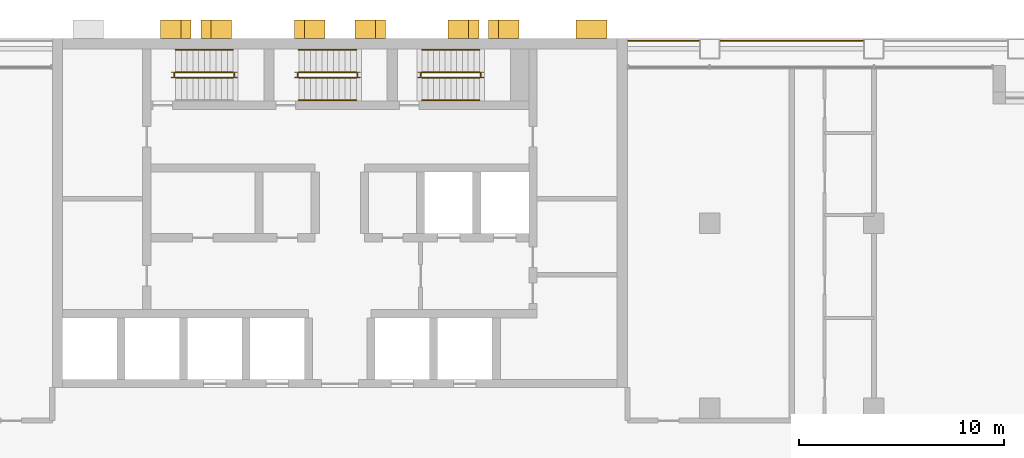
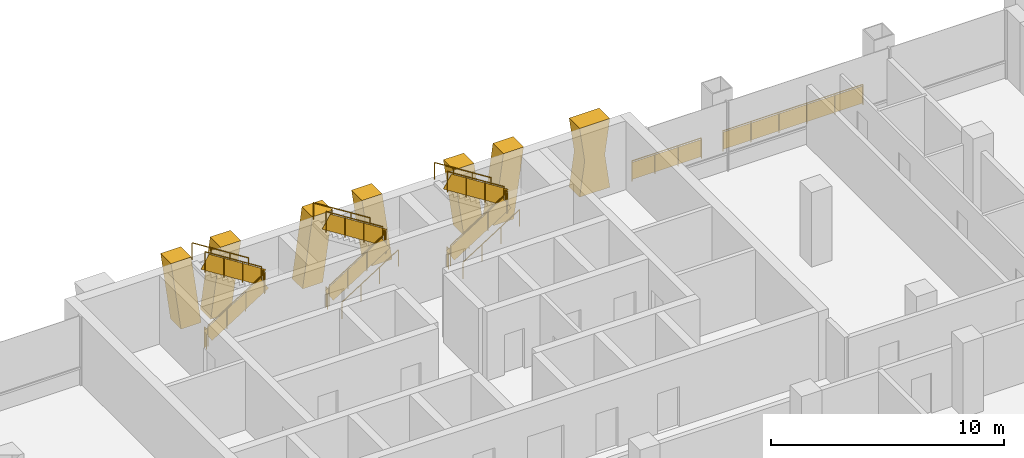
# One storey, part 12 of 13: 19 railings, 7 shading devices.
"""IFC4 building model written with IfcOpenShell, lengths in metres."""

from ifc_helpers import new_model, si_unit, direction, frame, origin, origin_2d, place, context, subcontext, project, spatial, polyline, rectangle, circle, outline, extrude, material, layer, layer_set, type_object, element, save


model = new_model("IFC4")

# Units and contexts
model_context = context("Model", 3, precision=1e-05, world=origin(), true_north=direction((0.0, 1.0)))
body_context = subcontext(model_context, "Body", "Model", "MODEL_VIEW")
ifc_project = project(units=[si_unit("LENGTHUNIT", "METRE"), si_unit("AREAUNIT", "SQUARE_METRE"), si_unit("VOLUMEUNIT", "CUBIC_METRE"), si_unit("PLANEANGLEUNIT", "RADIAN"), si_unit("MASSUNIT", "GRAM", prefix="KILO")], contexts=[model_context])

# Site, building, storey
site_placement = place(None, origin())
site = spatial("IfcSite", under=ifc_project, at=site_placement, CompositionType="ELEMENT")
building_placement = place(site_placement, origin())
building = spatial("IfcBuilding", under=site, at=building_placement, Name="Vidyagriha Tower", CompositionType="ELEMENT")
storey_placement = place(building_placement, frame((0.0, 0.0, 33.800048828125)))
storey = spatial("IfcBuildingStorey", under=building, at=storey_placement, Name="L08", CompositionType="ELEMENT", Elevation=33.800048828125)

# Shading devices
ifc_material_1 = material(Name="Precast concrete C40/50 with brick facing", Category="concrete")
ifc_layer_1 = layer(ifc_material_1, 1.0)
ifc_layer_set_1 = layer_set([ifc_layer_1], Name="Precast concrete C40/50 with brick facing")
shading_device_type_1 = type_object("IfcShadingDeviceType", Name="Brick-faced rear rib arm leaning 8 degrees", PredefinedType="USERDEFINED", material=ifc_layer_set_1)
shading_device_1_placement = place(storey_placement, frame((6.763671875, 20.449951171875, 0.0), z_axis=(0.0, 0.0, 1.0), x_axis=(-1.0, 0.0, 0.0)))
element("IfcShadingDevice", 1, at=shading_device_1_placement, inside=storey, type_object=shading_device_type_1, Name="Rear rib arm L08 R08.2a", ObjectType="BLADE FIN", PredefinedType="USERDEFINED", context=body_context, shape_type="SweptSolid", body=[
    extrude(outline(polyline([(0.0, 0.0), (1.0, 0.0), (1.490966796875, 3.599853515625), (0.490966796875, 3.599853515625), (0.0, 0.0)])), frame((0.0, 0.449951171875, 0.0), z_axis=(0.0, -1.0, 0.0), x_axis=(1.0, 0.0, 0.0)), (0.0, 0.0, 1.0), 0.89990234375),
])
shading_device_2_placement = place(storey_placement, frame((8.727294921875, 20.449951171875, 0.0), z_axis=(0.0, 0.0, 1.0), x_axis=(-1.0, 0.0, 0.0)))
element("IfcShadingDevice", 2, at=shading_device_2_placement, inside=storey, type_object=shading_device_type_1, Name="Rear rib arm L08 R08.2b", ObjectType="BLADE FIN", PredefinedType="USERDEFINED", context=body_context, shape_type="SweptSolid", body=[
    extrude(outline(polyline([(0.490966796875, 0.0), (1.490966796875, 0.0), (1.0, 3.599853515625), (0.0, 3.599853515625), (0.490966796875, 0.0)])), frame((0.0, 0.449951171875, 0.0), z_axis=(0.0, -1.0, 0.0), x_axis=(1.0, 0.0, 0.0)), (0.0, 0.0, 1.0), 0.89990234375),
])
shading_device_3_placement = place(storey_placement, frame((2.21826171875, 20.449951171875, 0.0), z_axis=(0.0, 0.0, 1.0), x_axis=(-1.0, 0.0, 0.0)))
element("IfcShadingDevice", 3, at=shading_device_3_placement, inside=storey, type_object=shading_device_type_1, Name="Rear rib arm L08 R08.3a", ObjectType="BLADE FIN", PredefinedType="USERDEFINED", context=body_context, shape_type="SweptSolid", body=[
    extrude(outline(polyline([(0.0, 0.0), (1.0, 0.0), (1.490966796875, 3.599853515625), (0.490966796875, 3.599853515625), (0.0, 0.0)])), frame((0.0, 0.449951171875, 0.0), z_axis=(0.0, -1.0, 0.0), x_axis=(1.0, 0.0, 0.0)), (0.0, 0.0, 1.0), 0.89990234375),
])
shading_device_4_placement = place(storey_placement, frame((-0.727294921875, 20.449951171875, 0.0), z_axis=(0.0, 0.0, 1.0), x_axis=(-1.0, 0.0, 0.0)))
element("IfcShadingDevice", 4, at=shading_device_4_placement, inside=storey, type_object=shading_device_type_1, Name="Rear rib arm L08 R08.3b", ObjectType="BLADE FIN", PredefinedType="USERDEFINED", context=body_context, shape_type="SweptSolid", body=[
    extrude(outline(polyline([(0.490966796875, 0.0), (1.490966796875, 0.0), (1.0, 3.599853515625), (0.0, 3.599853515625), (0.490966796875, 0.0)])), frame((0.0, 0.449951171875, 0.0), z_axis=(0.0, -1.0, 0.0), x_axis=(1.0, 0.0, 0.0)), (0.0, 0.0, 1.0), 0.89990234375),
])
shading_device_5_placement = place(storey_placement, frame((-7.236328125, 20.449951171875, 0.0), z_axis=(0.0, 0.0, 1.0), x_axis=(-1.0, 0.0, 0.0)))
element("IfcShadingDevice", 5, at=shading_device_5_placement, inside=storey, type_object=shading_device_type_1, Name="Rear rib arm L08 R08.4a", ObjectType="BLADE FIN", PredefinedType="USERDEFINED", context=body_context, shape_type="SweptSolid", body=[
    extrude(outline(polyline([(0.0, 0.0), (1.0, 0.0), (1.490966796875, 3.599853515625), (0.490966796875, 3.599853515625), (0.0, 0.0)])), frame((0.0, 0.449951171875, 0.0), z_axis=(0.0, -1.0, 0.0), x_axis=(1.0, 0.0, 0.0)), (0.0, 0.0, 1.0), 0.89990234375),
])
shading_device_6_placement = place(storey_placement, frame((-5.272705078125, 20.449951171875, 0.0), z_axis=(0.0, 0.0, 1.0), x_axis=(-1.0, 0.0, 0.0)))
element("IfcShadingDevice", 6, at=shading_device_6_placement, inside=storey, type_object=shading_device_type_1, Name="Rear rib arm L08 R08.4b", ObjectType="BLADE FIN", PredefinedType="USERDEFINED", context=body_context, shape_type="SweptSolid", body=[
    extrude(outline(polyline([(0.490966796875, 0.0), (1.490966796875, 0.0), (1.0, 3.599853515625), (0.0, 3.599853515625), (0.490966796875, 0.0)])), frame((0.0, 0.449951171875, 0.0), z_axis=(0.0, -1.0, 0.0), x_axis=(1.0, 0.0, 0.0)), (0.0, 0.0, 1.0), 0.89990234375),
])
ifc_material_2 = material(Name="Precast concrete C40/50 with brick facing", Category="concrete")
ifc_layer_2 = layer(ifc_material_2, 1.0)
ifc_layer_set_2 = layer_set([ifc_layer_2], Name="Precast concrete C40/50 with brick facing")
shading_device_type_2 = type_object("IfcShadingDeviceType", Name="Brick-faced rear rib forking 8 degrees", PredefinedType="USERDEFINED", material=ifc_layer_set_2)
shading_device_7_placement = place(storey_placement, frame((13.0, 20.449951171875, 0.0), z_axis=(0.0, 0.0, 1.0), x_axis=(-1.0, 0.0, 0.0)))
element("IfcShadingDevice", 7, at=shading_device_7_placement, inside=storey, type_object=shading_device_type_2, Name="Rear rib fork L08 R08.1a", ObjectType="BLADE FIN", PredefinedType="USERDEFINED", context=body_context, shape_type="SweptSolid", body=[
    extrude(outline(polyline([(0.0, 0.0), (1.5, 0.0), (1.25, 1.800048828125), (1.5, 3.599853515625), (0.0, 3.599853515625), (0.25, 1.800048828125), (0.0, 0.0)])), frame((0.0, 0.449951171875, 0.0), z_axis=(0.0, -1.0, 0.0), x_axis=(1.0, 0.0, 0.0)), (0.0, 0.0, 1.0), 0.89990234375),
])

# Railings
ifc_material_3 = material(Name="Steel ASTM A500 Grade C black painted", Category="steel")
railing_type_1 = type_object("IfcRailingType", Name="Gallery guard 1100", PredefinedType="GUARDRAIL", material=ifc_material_3)
railing_1_placement = place(storey_placement, frame((14.030029296875, 19.89990234375, 0.0)))
element("IfcRailing", 8, at=railing_1_placement, inside=storey, type_object=railing_type_1, Name="Gallery guard L08 18", PredefinedType="GUARDRAIL", context=body_context, shape_type="SweptSolid", body=[
    extrude(circle(Radius=0.02490234375, at=origin_2d()), frame((0.0, 0.0, 1.0751953125), z_axis=(1.0, 0.0, 0.0), x_axis=(0.0, 1.0, 0.0)), (0.0, 0.0, 1.0), 3.43994140625),
    extrude(circle(Radius=0.02001953125, at=origin_2d()), origin(), (0.0, 0.0, 1.0), 1.050048828125),
    extrude(circle(Radius=0.02001953125, at=origin_2d()), frame((1.146728515625, 0.0, 0.0)), (0.0, 0.0, 1.0), 1.050048828125),
    extrude(circle(Radius=0.02001953125, at=origin_2d()), frame((2.293212890625, 0.0, 0.0)), (0.0, 0.0, 1.0), 1.050048828125),
    extrude(circle(Radius=0.02001953125, at=origin_2d()), frame((3.43994140625, 0.0, 0.0)), (0.0, 0.0, 1.0), 1.050048828125),
    extrude(rectangle(XDim=0.010009765625, YDim=0.900146484375, at=origin_2d()), frame((0.0, 0.0, 0.550048828125), z_axis=(1.0, 0.0, 0.0), x_axis=(0.0, 1.0, 0.0)), (0.0, 0.0, 1.0), 3.43994140625),
])
railing_2_placement = place(storey_placement, frame((18.530029296875, 19.89990234375, 0.0)))
element("IfcRailing", 9, at=railing_2_placement, inside=storey, type_object=railing_type_1, Name="Gallery guard L08 20", PredefinedType="GUARDRAIL", context=body_context, shape_type="SweptSolid", body=[
    extrude(circle(Radius=0.02490234375, at=origin_2d()), frame((0.0, 0.0, 1.0751953125), z_axis=(1.0, 0.0, 0.0), x_axis=(0.0, 1.0, 0.0)), (0.0, 0.0, 1.0), 6.93994140625),
    extrude(circle(Radius=0.02001953125, at=origin_2d()), origin(), (0.0, 0.0, 1.0), 1.050048828125),
    extrude(circle(Radius=0.02001953125, at=origin_2d()), frame((1.387939453125, 0.0, 0.0)), (0.0, 0.0, 1.0), 1.050048828125),
    extrude(circle(Radius=0.02001953125, at=origin_2d()), frame((2.77587890625, 0.0, 0.0)), (0.0, 0.0, 1.0), 1.050048828125),
    extrude(circle(Radius=0.02001953125, at=origin_2d()), frame((4.1640625, 0.0, 0.0)), (0.0, 0.0, 1.0), 1.050048828125),
    extrude(circle(Radius=0.02001953125, at=origin_2d()), frame((5.552001953125, 0.0, 0.0)), (0.0, 0.0, 1.0), 1.050048828125),
    extrude(circle(Radius=0.02001953125, at=origin_2d()), frame((6.93994140625, 0.0, 0.0)), (0.0, 0.0, 1.0), 1.050048828125),
    extrude(rectangle(XDim=0.010009765625, YDim=0.900146484375, at=origin_2d()), frame((0.0, 0.0, 0.550048828125), z_axis=(1.0, 0.0, 0.0), x_axis=(0.0, 1.0, 0.0)), (0.0, 0.0, 1.0), 6.93994140625),
])
ifc_material_4 = material(Name="Steel ASTM A500 Grade C", Category="steel")
railing_type_2 = type_object("IfcRailingType", Name="Stair guard 1100 mm, steel balustrade", PredefinedType="GUARDRAIL", material=ifc_material_4)
railing_3_placement = place(storey_placement, frame((-8.0, 18.10009765625, 0.17724609375)))
element("IfcRailing", 10, at=railing_3_placement, inside=storey, type_object=railing_type_2, Name="L08 ST1 stair guard 1", PredefinedType="GUARDRAIL", context=body_context, shape_type="SweptSolid", body=[
    extrude(circle(Radius=0.02392578125, at=origin_2d()), frame((0.0, 0.0, 1.076171875), z_axis=(0.844908973607, 0.0, 0.534910110503), x_axis=(0.0, 1.0, 0.0)), (0.0, 0.0, 1.0), 3.31396484375),
    extrude(circle(Radius=0.02099609375, at=origin_2d()), origin(), (0.0, 0.0, 1.0), 1.052001953125),
    extrude(circle(Radius=0.02099609375, at=origin_2d()), frame((0.933349609375, 0.0, 0.5908203125)), (0.0, 0.0, 1.0), 1.052001953125),
    extrude(circle(Radius=0.02099609375, at=origin_2d()), frame((1.86669921875, 0.0, 1.181884765625)), (0.0, 0.0, 1.0), 1.052001953125),
    extrude(circle(Radius=0.02099609375, at=origin_2d()), frame((2.800048828125, 0.0, 1.772705078125)), (0.0, 0.0, 1.0), 1.052001953125),
    extrude(rectangle(XDim=0.010009765625, YDim=0.76220703125, at=origin_2d()), frame((0.0, 0.0, 0.551025390625), z_axis=(0.844908973607, 0.0, 0.534910110503), x_axis=(0.0, 1.0, 0.0)), (0.0, 0.0, 1.0), 3.31396484375),
])
railing_4_placement = place(storey_placement, frame((-5.14990234375, 18.14990234375, 1.949951171875)))
element("IfcRailing", 11, at=railing_4_placement, inside=storey, type_object=railing_type_2, Name="L08 ST1 stair guard 2", PredefinedType="GUARDRAIL", context=body_context, shape_type="SweptSolid", body=[
    extrude(circle(Radius=0.02392578125, at=origin_2d()), frame((0.0, 0.0, 1.076171875), z_axis=(0.0, 1.0, 0.0), x_axis=(-1.0, 0.0, 0.0)), (0.0, 0.0, 1.0), 0.150146484375),
    extrude(circle(Radius=0.02099609375, at=origin_2d()), origin(), (0.0, 0.0, 1.0), 1.052001953125),
    extrude(circle(Radius=0.02099609375, at=origin_2d()), frame((0.0, 0.150146484375, 0.0)), (0.0, 0.0, 1.0), 1.052001953125),
    extrude(rectangle(XDim=0.010009765625, YDim=0.902099609375, at=origin_2d()), frame((0.0, 0.0, 0.551025390625), z_axis=(0.0, 1.0, 0.0), x_axis=(-1.0, 0.0, 0.0)), (0.0, 0.0, 1.0), 0.150146484375),
])
railing_5_placement = place(storey_placement, frame((-5.199951171875, 18.35009765625, 2.127197265625)))
element("IfcRailing", 12, at=railing_5_placement, inside=storey, type_object=railing_type_2, Name="L08 ST1 stair guard 3", PredefinedType="GUARDRAIL", context=body_context, shape_type="SweptSolid", body=[
    extrude(circle(Radius=0.02392578125, at=origin_2d()), frame((0.0, 0.0, 1.076171875), z_axis=(-0.844908973607, 0.0, 0.534910110503), x_axis=(0.0, -1.0, 0.0)), (0.0, 0.0, 1.0), 3.31396484375),
    extrude(circle(Radius=0.02099609375, at=origin_2d()), origin(), (0.0, 0.0, 1.0), 1.052001953125),
    extrude(circle(Radius=0.02099609375, at=origin_2d()), frame((-0.933349609375, 0.0, 0.5908203125)), (0.0, 0.0, 1.0), 1.052001953125),
    extrude(circle(Radius=0.02099609375, at=origin_2d()), frame((-1.86669921875, 0.0, 1.181884765625)), (0.0, 0.0, 1.0), 1.052001953125),
    extrude(circle(Radius=0.02099609375, at=origin_2d()), frame((-2.800048828125, 0.0, 1.772705078125)), (0.0, 0.0, 1.0), 1.052001953125),
    extrude(rectangle(XDim=0.010009765625, YDim=0.76220703125, at=origin_2d()), frame((0.0, 0.0, 0.551025390625), z_axis=(-0.844908973607, 0.0, 0.534910110503), x_axis=(0.0, -1.0, 0.0)), (0.0, 0.0, 1.0), 3.31396484375),
])
railing_6_placement = place(storey_placement, frame((-8.050048828125, 18.14990234375, 0.0)))
element("IfcRailing", 13, at=railing_6_placement, inside=storey, type_object=railing_type_2, Name="L08 ST1 stair guard 4", PredefinedType="GUARDRAIL", context=body_context, shape_type="SweptSolid", body=[
    extrude(circle(Radius=0.02392578125, at=origin_2d()), frame((0.0, 0.0, 1.076171875), z_axis=(0.0, 1.0, 0.0), x_axis=(-1.0, 0.0, 0.0)), (0.0, 0.0, 1.0), 0.150146484375),
    extrude(circle(Radius=0.02099609375, at=origin_2d()), origin(), (0.0, 0.0, 1.0), 1.052001953125),
    extrude(circle(Radius=0.02099609375, at=origin_2d()), frame((0.0, 0.150146484375, 0.0)), (0.0, 0.0, 1.0), 1.052001953125),
    extrude(rectangle(XDim=0.010009765625, YDim=0.902099609375, at=origin_2d()), frame((0.0, 0.0, 0.551025390625), z_axis=(0.0, 1.0, 0.0), x_axis=(-1.0, 0.0, 0.0)), (0.0, 0.0, 1.0), 0.150146484375),
])
railing_7_placement = place(storey_placement, frame((-2.0, 18.10009765625, 0.17724609375)))
element("IfcRailing", 14, at=railing_7_placement, inside=storey, type_object=railing_type_2, Name="L08 ST2 stair guard 1", PredefinedType="GUARDRAIL", context=body_context, shape_type="SweptSolid", body=[
    extrude(circle(Radius=0.02392578125, at=origin_2d()), frame((0.0, 0.0, 1.076171875), z_axis=(0.844908973607, 0.0, 0.534910110503), x_axis=(0.0, 1.0, 0.0)), (0.0, 0.0, 1.0), 3.31396484375),
    extrude(circle(Radius=0.02099609375, at=origin_2d()), origin(), (0.0, 0.0, 1.0), 1.052001953125),
    extrude(circle(Radius=0.02099609375, at=origin_2d()), frame((0.933349609375, 0.0, 0.5908203125)), (0.0, 0.0, 1.0), 1.052001953125),
    extrude(circle(Radius=0.02099609375, at=origin_2d()), frame((1.86669921875, 0.0, 1.181884765625)), (0.0, 0.0, 1.0), 1.052001953125),
    extrude(circle(Radius=0.02099609375, at=origin_2d()), frame((2.800048828125, 0.0, 1.772705078125)), (0.0, 0.0, 1.0), 1.052001953125),
    extrude(rectangle(XDim=0.010009765625, YDim=0.76220703125, at=origin_2d()), frame((0.0, 0.0, 0.551025390625), z_axis=(0.844908973607, 0.0, 0.534910110503), x_axis=(0.0, 1.0, 0.0)), (0.0, 0.0, 1.0), 3.31396484375),
])
railing_8_placement = place(storey_placement, frame((0.85009765625, 18.14990234375, 1.949951171875)))
element("IfcRailing", 15, at=railing_8_placement, inside=storey, type_object=railing_type_2, Name="L08 ST2 stair guard 2", PredefinedType="GUARDRAIL", context=body_context, shape_type="SweptSolid", body=[
    extrude(circle(Radius=0.02392578125, at=origin_2d()), frame((0.0, 0.0, 1.076171875), z_axis=(0.0, 1.0, 0.0), x_axis=(-1.0, 0.0, 0.0)), (0.0, 0.0, 1.0), 0.150146484375),
    extrude(circle(Radius=0.02099609375, at=origin_2d()), origin(), (0.0, 0.0, 1.0), 1.052001953125),
    extrude(circle(Radius=0.02099609375, at=origin_2d()), frame((0.0, 0.150146484375, 0.0)), (0.0, 0.0, 1.0), 1.052001953125),
    extrude(rectangle(XDim=0.010009765625, YDim=0.902099609375, at=origin_2d()), frame((0.0, 0.0, 0.551025390625), z_axis=(0.0, 1.0, 0.0), x_axis=(-1.0, 0.0, 0.0)), (0.0, 0.0, 1.0), 0.150146484375),
])
railing_9_placement = place(storey_placement, frame((0.800048828125, 18.35009765625, 2.127197265625)))
element("IfcRailing", 16, at=railing_9_placement, inside=storey, type_object=railing_type_2, Name="L08 ST2 stair guard 3", PredefinedType="GUARDRAIL", context=body_context, shape_type="SweptSolid", body=[
    extrude(circle(Radius=0.02392578125, at=origin_2d()), frame((0.0, 0.0, 1.076171875), z_axis=(-0.844908973607, 0.0, 0.534910110503), x_axis=(0.0, -1.0, 0.0)), (0.0, 0.0, 1.0), 3.31396484375),
    extrude(circle(Radius=0.02099609375, at=origin_2d()), origin(), (0.0, 0.0, 1.0), 1.052001953125),
    extrude(circle(Radius=0.02099609375, at=origin_2d()), frame((-0.933349609375, 0.0, 0.5908203125)), (0.0, 0.0, 1.0), 1.052001953125),
    extrude(circle(Radius=0.02099609375, at=origin_2d()), frame((-1.86669921875, 0.0, 1.181884765625)), (0.0, 0.0, 1.0), 1.052001953125),
    extrude(circle(Radius=0.02099609375, at=origin_2d()), frame((-2.800048828125, 0.0, 1.772705078125)), (0.0, 0.0, 1.0), 1.052001953125),
    extrude(rectangle(XDim=0.010009765625, YDim=0.76220703125, at=origin_2d()), frame((0.0, 0.0, 0.551025390625), z_axis=(-0.844908973607, 0.0, 0.534910110503), x_axis=(0.0, -1.0, 0.0)), (0.0, 0.0, 1.0), 3.31396484375),
])
railing_10_placement = place(storey_placement, frame((-2.050048828125, 18.14990234375, 0.0)))
element("IfcRailing", 17, at=railing_10_placement, inside=storey, type_object=railing_type_2, Name="L08 ST2 stair guard 4", PredefinedType="GUARDRAIL", context=body_context, shape_type="SweptSolid", body=[
    extrude(circle(Radius=0.02392578125, at=origin_2d()), frame((0.0, 0.0, 1.076171875), z_axis=(0.0, 1.0, 0.0), x_axis=(-1.0, 0.0, 0.0)), (0.0, 0.0, 1.0), 0.150146484375),
    extrude(circle(Radius=0.02099609375, at=origin_2d()), origin(), (0.0, 0.0, 1.0), 1.052001953125),
    extrude(circle(Radius=0.02099609375, at=origin_2d()), frame((0.0, 0.150146484375, 0.0)), (0.0, 0.0, 1.0), 1.052001953125),
    extrude(rectangle(XDim=0.010009765625, YDim=0.902099609375, at=origin_2d()), frame((0.0, 0.0, 0.551025390625), z_axis=(0.0, 1.0, 0.0), x_axis=(-1.0, 0.0, 0.0)), (0.0, 0.0, 1.0), 0.150146484375),
])
railing_11_placement = place(storey_placement, frame((4.0, 18.10009765625, 0.17724609375)))
element("IfcRailing", 18, at=railing_11_placement, inside=storey, type_object=railing_type_2, Name="L08 ST3 stair guard 1", PredefinedType="GUARDRAIL", context=body_context, shape_type="SweptSolid", body=[
    extrude(circle(Radius=0.02392578125, at=origin_2d()), frame((0.0, 0.0, 1.076171875), z_axis=(0.844908973607, 0.0, 0.534910110503), x_axis=(0.0, 1.0, 0.0)), (0.0, 0.0, 1.0), 3.31396484375),
    extrude(circle(Radius=0.02099609375, at=origin_2d()), origin(), (0.0, 0.0, 1.0), 1.052001953125),
    extrude(circle(Radius=0.02099609375, at=origin_2d()), frame((0.933349609375, 0.0, 0.5908203125)), (0.0, 0.0, 1.0), 1.052001953125),
    extrude(circle(Radius=0.02099609375, at=origin_2d()), frame((1.86669921875, 0.0, 1.181884765625)), (0.0, 0.0, 1.0), 1.052001953125),
    extrude(circle(Radius=0.02099609375, at=origin_2d()), frame((2.800048828125, 0.0, 1.772705078125)), (0.0, 0.0, 1.0), 1.052001953125),
    extrude(rectangle(XDim=0.010009765625, YDim=0.76220703125, at=origin_2d()), frame((0.0, 0.0, 0.551025390625), z_axis=(0.844908973607, 0.0, 0.534910110503), x_axis=(0.0, 1.0, 0.0)), (0.0, 0.0, 1.0), 3.31396484375),
])
railing_12_placement = place(storey_placement, frame((6.85009765625, 18.14990234375, 1.949951171875)))
element("IfcRailing", 19, at=railing_12_placement, inside=storey, type_object=railing_type_2, Name="L08 ST3 stair guard 2", PredefinedType="GUARDRAIL", context=body_context, shape_type="SweptSolid", body=[
    extrude(circle(Radius=0.02392578125, at=origin_2d()), frame((0.0, 0.0, 1.076171875), z_axis=(0.0, 1.0, 0.0), x_axis=(-1.0, 0.0, 0.0)), (0.0, 0.0, 1.0), 0.150146484375),
    extrude(circle(Radius=0.02099609375, at=origin_2d()), origin(), (0.0, 0.0, 1.0), 1.052001953125),
    extrude(circle(Radius=0.02099609375, at=origin_2d()), frame((0.0, 0.150146484375, 0.0)), (0.0, 0.0, 1.0), 1.052001953125),
    extrude(rectangle(XDim=0.010009765625, YDim=0.902099609375, at=origin_2d()), frame((0.0, 0.0, 0.551025390625), z_axis=(0.0, 1.0, 0.0), x_axis=(-1.0, 0.0, 0.0)), (0.0, 0.0, 1.0), 0.150146484375),
])
railing_13_placement = place(storey_placement, frame((6.800048828125, 18.35009765625, 2.127197265625)))
element("IfcRailing", 20, at=railing_13_placement, inside=storey, type_object=railing_type_2, Name="L08 ST3 stair guard 3", PredefinedType="GUARDRAIL", context=body_context, shape_type="SweptSolid", body=[
    extrude(circle(Radius=0.02392578125, at=origin_2d()), frame((0.0, 0.0, 1.076171875), z_axis=(-0.844908973607, 0.0, 0.534910110503), x_axis=(0.0, -1.0, 0.0)), (0.0, 0.0, 1.0), 3.31396484375),
    extrude(circle(Radius=0.02099609375, at=origin_2d()), origin(), (0.0, 0.0, 1.0), 1.052001953125),
    extrude(circle(Radius=0.02099609375, at=origin_2d()), frame((-0.933349609375, 0.0, 0.5908203125)), (0.0, 0.0, 1.0), 1.052001953125),
    extrude(circle(Radius=0.02099609375, at=origin_2d()), frame((-1.86669921875, 0.0, 1.181884765625)), (0.0, 0.0, 1.0), 1.052001953125),
    extrude(circle(Radius=0.02099609375, at=origin_2d()), frame((-2.800048828125, 0.0, 1.772705078125)), (0.0, 0.0, 1.0), 1.052001953125),
    extrude(rectangle(XDim=0.010009765625, YDim=0.76220703125, at=origin_2d()), frame((0.0, 0.0, 0.551025390625), z_axis=(-0.844908973607, 0.0, 0.534910110503), x_axis=(0.0, -1.0, 0.0)), (0.0, 0.0, 1.0), 3.31396484375),
])
railing_14_placement = place(storey_placement, frame((3.949951171875, 18.14990234375, 0.0)))
element("IfcRailing", 21, at=railing_14_placement, inside=storey, type_object=railing_type_2, Name="L08 ST3 stair guard 4", PredefinedType="GUARDRAIL", context=body_context, shape_type="SweptSolid", body=[
    extrude(circle(Radius=0.02392578125, at=origin_2d()), frame((0.0, 0.0, 1.076171875), z_axis=(0.0, 1.0, 0.0), x_axis=(-1.0, 0.0, 0.0)), (0.0, 0.0, 1.0), 0.150146484375),
    extrude(circle(Radius=0.02099609375, at=origin_2d()), origin(), (0.0, 0.0, 1.0), 1.052001953125),
    extrude(circle(Radius=0.02099609375, at=origin_2d()), frame((0.0, 0.150146484375, 0.0)), (0.0, 0.0, 1.0), 1.052001953125),
    extrude(rectangle(XDim=0.010009765625, YDim=0.902099609375, at=origin_2d()), frame((0.0, 0.0, 0.551025390625), z_axis=(0.0, 1.0, 0.0), x_axis=(-1.0, 0.0, 0.0)), (0.0, 0.0, 1.0), 0.150146484375),
])
ifc_material_5 = material(Name="Steel ASTM A500 Grade C", Category="steel")
railing_type_3 = type_object("IfcRailingType", Name="Stair handrail 900 mm, steel", PredefinedType="HANDRAIL", material=ifc_material_5)
railing_15_placement = place(storey_placement, frame((-5.199951171875, 19.449951171875, 2.127197265625)))
element("IfcRailing", 22, at=railing_15_placement, inside=storey, type_object=railing_type_3, Name="L08 ST1 stair handrail 2", PredefinedType="HANDRAIL", context=body_context, shape_type="SweptSolid", body=[
    extrude(circle(Radius=0.02392578125, at=origin_2d()), frame((0.0, 0.0, 0.8759765625), z_axis=(-0.844908973607, 0.0, 0.534910110503), x_axis=(0.0, -1.0, 0.0)), (0.0, 0.0, 1.0), 3.31396484375),
    extrude(circle(Radius=0.02099609375, at=origin_2d()), origin(), (0.0, 0.0, 1.0), 0.851806640625),
    extrude(circle(Radius=0.02099609375, at=origin_2d()), frame((-0.933349609375, 0.0, 0.5908203125)), (0.0, 0.0, 1.0), 0.851806640625),
    extrude(circle(Radius=0.02099609375, at=origin_2d()), frame((-1.86669921875, 0.0, 1.181884765625)), (0.0, 0.0, 1.0), 0.851806640625),
    extrude(circle(Radius=0.02099609375, at=origin_2d()), frame((-2.800048828125, 0.0, 1.772705078125)), (0.0, 0.0, 1.0), 0.851806640625),
])
railing_16_placement = place(storey_placement, frame((-2.0, 17.0, 0.17724609375)))
element("IfcRailing", 23, at=railing_16_placement, inside=storey, type_object=railing_type_3, Name="L08 ST2 stair handrail 1", PredefinedType="HANDRAIL", context=body_context, shape_type="SweptSolid", body=[
    extrude(circle(Radius=0.02392578125, at=origin_2d()), frame((0.0, 0.0, 0.8759765625), z_axis=(0.844908973607, 0.0, 0.534910110503), x_axis=(0.0, 1.0, 0.0)), (0.0, 0.0, 1.0), 3.31396484375),
    extrude(circle(Radius=0.02099609375, at=origin_2d()), origin(), (0.0, 0.0, 1.0), 0.851806640625),
    extrude(circle(Radius=0.02099609375, at=origin_2d()), frame((0.933349609375, 0.0, 0.5908203125)), (0.0, 0.0, 1.0), 0.851806640625),
    extrude(circle(Radius=0.02099609375, at=origin_2d()), frame((1.86669921875, 0.0, 1.181884765625)), (0.0, 0.0, 1.0), 0.851806640625),
    extrude(circle(Radius=0.02099609375, at=origin_2d()), frame((2.800048828125, 0.0, 1.772705078125)), (0.0, 0.0, 1.0), 0.851806640625),
])
railing_17_placement = place(storey_placement, frame((0.800048828125, 19.449951171875, 2.127197265625)))
element("IfcRailing", 24, at=railing_17_placement, inside=storey, type_object=railing_type_3, Name="L08 ST2 stair handrail 2", PredefinedType="HANDRAIL", context=body_context, shape_type="SweptSolid", body=[
    extrude(circle(Radius=0.02392578125, at=origin_2d()), frame((0.0, 0.0, 0.8759765625), z_axis=(-0.844908973607, 0.0, 0.534910110503), x_axis=(0.0, -1.0, 0.0)), (0.0, 0.0, 1.0), 3.31396484375),
    extrude(circle(Radius=0.02099609375, at=origin_2d()), origin(), (0.0, 0.0, 1.0), 0.851806640625),
    extrude(circle(Radius=0.02099609375, at=origin_2d()), frame((-0.933349609375, 0.0, 0.5908203125)), (0.0, 0.0, 1.0), 0.851806640625),
    extrude(circle(Radius=0.02099609375, at=origin_2d()), frame((-1.86669921875, 0.0, 1.181884765625)), (0.0, 0.0, 1.0), 0.851806640625),
    extrude(circle(Radius=0.02099609375, at=origin_2d()), frame((-2.800048828125, 0.0, 1.772705078125)), (0.0, 0.0, 1.0), 0.851806640625),
])
railing_18_placement = place(storey_placement, frame((4.0, 17.0, 0.17724609375)))
element("IfcRailing", 25, at=railing_18_placement, inside=storey, type_object=railing_type_3, Name="L08 ST3 stair handrail 1", PredefinedType="HANDRAIL", context=body_context, shape_type="SweptSolid", body=[
    extrude(circle(Radius=0.02392578125, at=origin_2d()), frame((0.0, 0.0, 0.8759765625), z_axis=(0.844908973607, 0.0, 0.534910110503), x_axis=(0.0, 1.0, 0.0)), (0.0, 0.0, 1.0), 3.31396484375),
    extrude(circle(Radius=0.02099609375, at=origin_2d()), origin(), (0.0, 0.0, 1.0), 0.851806640625),
    extrude(circle(Radius=0.02099609375, at=origin_2d()), frame((0.933349609375, 0.0, 0.5908203125)), (0.0, 0.0, 1.0), 0.851806640625),
    extrude(circle(Radius=0.02099609375, at=origin_2d()), frame((1.86669921875, 0.0, 1.181884765625)), (0.0, 0.0, 1.0), 0.851806640625),
    extrude(circle(Radius=0.02099609375, at=origin_2d()), frame((2.800048828125, 0.0, 1.772705078125)), (0.0, 0.0, 1.0), 0.851806640625),
])
railing_19_placement = place(storey_placement, frame((6.800048828125, 19.449951171875, 2.127197265625)))
element("IfcRailing", 26, at=railing_19_placement, inside=storey, type_object=railing_type_3, Name="L08 ST3 stair handrail 2", PredefinedType="HANDRAIL", context=body_context, shape_type="SweptSolid", body=[
    extrude(circle(Radius=0.02392578125, at=origin_2d()), frame((0.0, 0.0, 0.8759765625), z_axis=(-0.844908973607, 0.0, 0.534910110503), x_axis=(0.0, -1.0, 0.0)), (0.0, 0.0, 1.0), 3.31396484375),
    extrude(circle(Radius=0.02099609375, at=origin_2d()), origin(), (0.0, 0.0, 1.0), 0.851806640625),
    extrude(circle(Radius=0.02099609375, at=origin_2d()), frame((-0.933349609375, 0.0, 0.5908203125)), (0.0, 0.0, 1.0), 0.851806640625),
    extrude(circle(Radius=0.02099609375, at=origin_2d()), frame((-1.86669921875, 0.0, 1.181884765625)), (0.0, 0.0, 1.0), 0.851806640625),
    extrude(circle(Radius=0.02099609375, at=origin_2d()), frame((-2.800048828125, 0.0, 1.772705078125)), (0.0, 0.0, 1.0), 0.851806640625),
])

save(model, "model.ifc")
